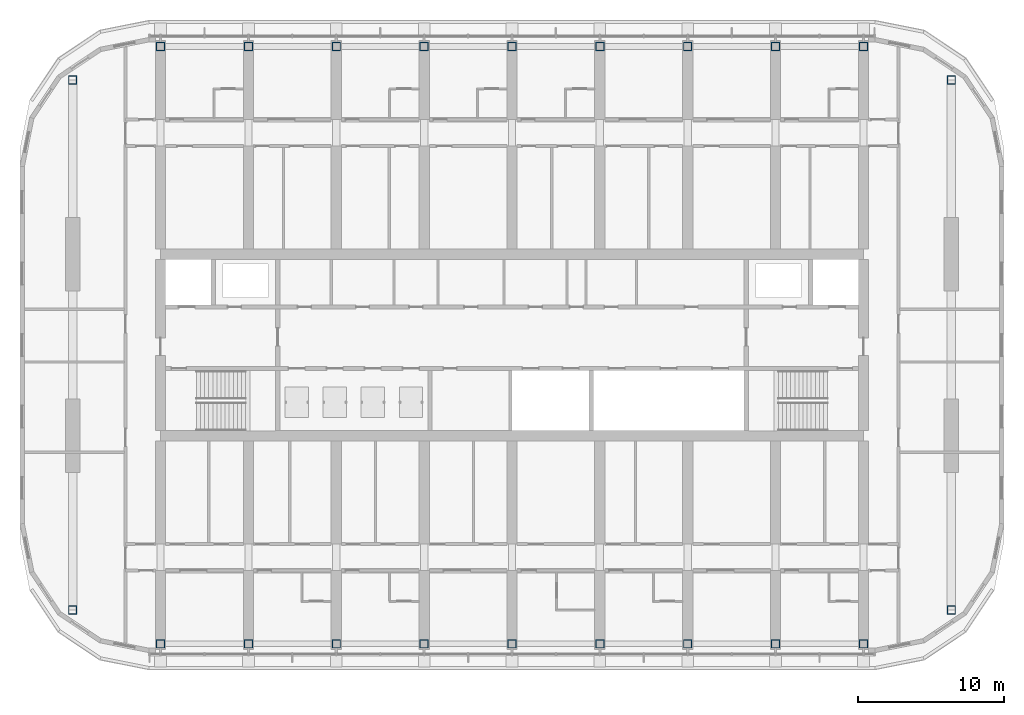
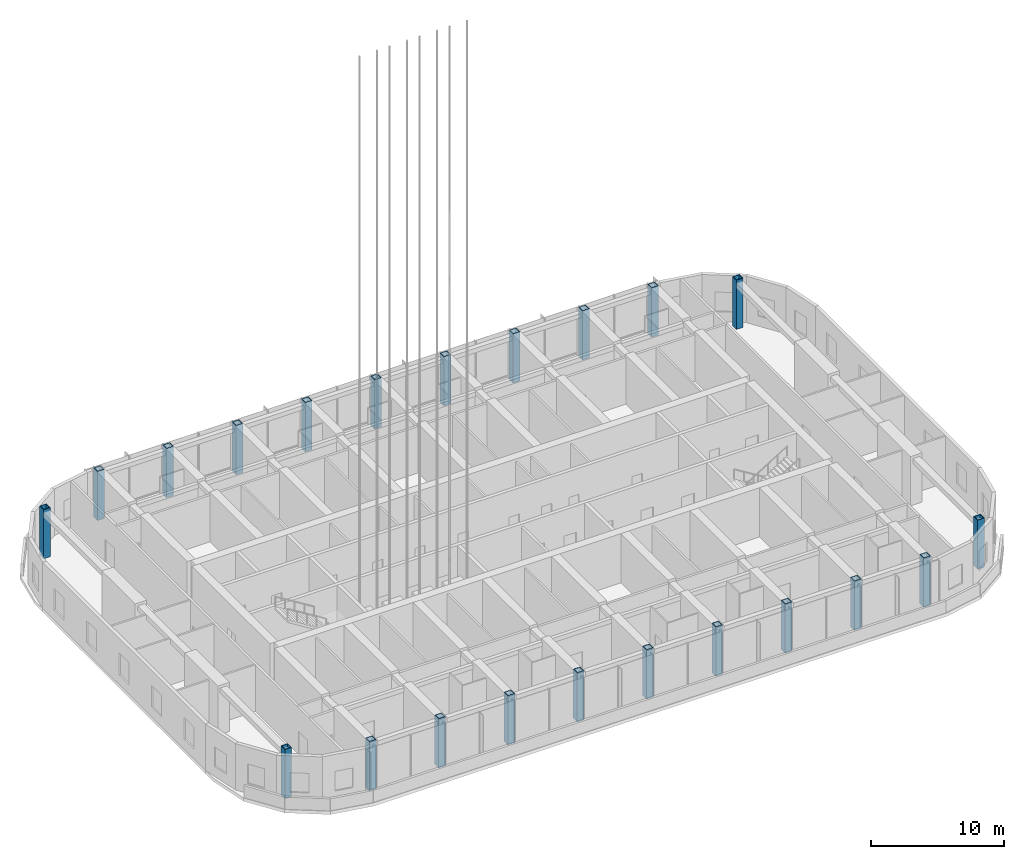
# One storey, part 1 of 35: 22 columns.
"""IFC4 building model written with IfcOpenShell, lengths in metres."""

import ifcopenshell
import ifcopenshell.guid

model = None  # the IFC model being written
_history = None  # IfcOwnerHistory: only IFC2X3 demands one
_inside = {}  # id of a spatial element -> (the spatial element, [elements in it])
_under = {}  # id of a project, library or spatial element -> (it, [spatial elements below it])
_declared = {}  # id of a project -> (the project, [libraries it declares])
_typed = {}  # id of a type object -> (the type object, [elements of that type])
_made_of = {}  # id of a material, layer set ... -> (it, [elements and type objects made of it])


def new_model(schema):
    """Start an empty IFC model of exactly this schema.

    Asked for "IFC4X3", IfcOpenShell would pick the latest addendum, in which some entities
    have other attributes; the version numbers below select the first issue.
    IFC2X3 requires an IfcOwnerHistory on every rooted entity: one is made here for all.
    """
    global model, _history
    if schema == "IFC4X3":
        model = ifcopenshell.file(schema_version=(4, 3, 0, 0))
    else:
        model = ifcopenshell.file(schema=schema)
    _inside.clear()
    _under.clear()
    _declared.clear()
    _typed.clear()
    _made_of.clear()
    _history = None
    if model.schema == "IFC2X3":
        org = make("IfcOrganization", Name="unknown")
        user = make(
            "IfcPersonAndOrganization",
            ThePerson=make("IfcPerson", FamilyName="unknown"),
            TheOrganization=org,
        )
        app = make(
            "IfcApplication",
            ApplicationDeveloper=org,
            Version="unknown",
            ApplicationFullName="unknown",
            ApplicationIdentifier="unknown",
        )
        _history = make(
            "IfcOwnerHistory",
            OwningUser=user,
            OwningApplication=app,
            ChangeAction="ADDED",
            CreationDate=0,
        )
    return model


def make(cls, **values):
    """One entity of the class cls with the attributes given. An attribute that is None is left unset."""
    return model.create_entity(
        cls, **{name: value for name, value in values.items() if value is not None}
    )


def rooted(cls, **values):
    """An entity with a GlobalId (a new one), such as an element, a storey or a relation."""
    return make(cls, GlobalId=ifcopenshell.guid.new(), OwnerHistory=_history, **values)


def si_unit(unit_type, name, prefix=None):
    """IfcSIUnit, for example si_unit("LENGTHUNIT", "METRE", prefix="MILLI")."""
    return make("IfcSIUnit", UnitType=unit_type, Prefix=prefix, Name=name)


def assignment(units):
    """IfcUnitAssignment: the units of a project."""
    return None if units is None else make("IfcUnitAssignment", Units=units)


def point(xyz):
    """IfcCartesianPoint."""
    return None if xyz is None else make("IfcCartesianPoint", Coordinates=xyz)


def direction(xyz):
    """IfcDirection."""
    return None if xyz is None else make("IfcDirection", DirectionRatios=xyz)


def frame(location, z_axis=None, x_axis=None):
    """IfcAxis2Placement3D, a coordinate frame: its origin and axes. An axis left out is left unset."""
    return make(
        "IfcAxis2Placement3D",
        Location=point(location),
        Axis=direction(z_axis),
        RefDirection=direction(x_axis),
    )


def frame_2d(location, x_axis=None):
    """IfcAxis2Placement2D, a coordinate frame in the plane: its origin and x axis."""
    return make(
        "IfcAxis2Placement2D", Location=point(location), RefDirection=direction(x_axis)
    )


def origin():
    """The frame at (0, 0, 0) with its axes left unset."""
    return frame((0.0, 0.0, 0.0))


def origin_2d():
    """The frame at (0, 0) in the plane with its x axis left unset."""
    return frame_2d((0.0, 0.0))


def place(relative_to, where):
    """IfcLocalPlacement: puts the frame where relative to a parent placement (None: the world)."""
    return make(
        "IfcLocalPlacement", PlacementRelTo=relative_to, RelativePlacement=where
    )


def context(
    kind, dimensions, precision=None, world=None, true_north=None, identifier=None
):
    """IfcGeometricRepresentationContext, for example the 3D "Model" context."""
    return make(
        "IfcGeometricRepresentationContext",
        ContextIdentifier=identifier,
        ContextType=kind,
        CoordinateSpaceDimension=dimensions,
        Precision=precision,
        WorldCoordinateSystem=world,
        TrueNorth=true_north,
    )


def subcontext(parent, identifier, kind, view, scale=None):
    """IfcGeometricRepresentationSubContext, for example "Body" below "Model"."""
    return make(
        "IfcGeometricRepresentationSubContext",
        ContextIdentifier=identifier,
        ContextType=kind,
        ParentContext=parent,
        TargetScale=scale,
        TargetView=view,
    )


def project(units=None, contexts=None):
    """IfcProject with its units and contexts."""
    return rooted(
        "IfcProject",
        Name="project",
        RepresentationContexts=contexts,
        UnitsInContext=assignment(units),
    )


def spatial(cls, under=None, at=None, **own):
    """A site, building, storey or space (cls), placed at a placement, below another one or the project."""
    s = rooted(cls, ObjectPlacement=at, **own)
    if under is not None:
        _under.setdefault(under.id(), (under, []))[1].append(s)
    return s


def profile(cls, at=None, kind="AREA", **sizes):
    """A parametric profile (cls). Its sizes go by their IFC names, for example OverallWidth=200.0."""
    return make(cls, ProfileType=kind, Position=at, **sizes)


def hollow_rectangle(**sizes):
    """IfcRectangleHollowProfileDef."""
    return profile("IfcRectangleHollowProfileDef", **sizes)


def extrude(swept, where, along, depth):
    """IfcExtrudedAreaSolid: the profile swept, set in the frame where, extruded along a direction by depth."""
    return make(
        "IfcExtrudedAreaSolid",
        SweptArea=swept,
        Position=where,
        ExtrudedDirection=direction(along),
        Depth=depth,
    )


def shape(context_of_items, identifier, shape_type, items):
    """IfcShapeRepresentation: the items that make up one representation, for example the "Body"."""
    return make(
        "IfcShapeRepresentation",
        ContextOfItems=context_of_items,
        RepresentationIdentifier=identifier,
        RepresentationType=shape_type,
        Items=items,
    )


def material(Name=None, Category=None):
    """IfcMaterial."""
    return make("IfcMaterial", Name=Name, Category=Category)


def material_profile(
    of_material, cross_section, Name=None, Category=None, Priority=None
):
    """IfcMaterialProfile: a cross section and its material."""
    return make(
        "IfcMaterialProfile",
        Name=Name,
        Material=of_material,
        Profile=cross_section,
        Priority=Priority,
        Category=Category,
    )


def profile_set(profiles, Name=None, composite=None):
    """IfcMaterialProfileSet."""
    return make(
        "IfcMaterialProfileSet",
        Name=Name,
        MaterialProfiles=profiles,
        CompositeProfile=composite,
    )


def made_of(thing, what):
    """Note that an element or type object is made of a material, layer set ...; save() writes the relation."""
    if what is not None:
        _made_of.setdefault(what.id(), (what, []))[1].append(thing)
    return thing


def type_object(cls, material=None, **own):
    """A type object (cls), such as IfcWallType, which elements share."""
    return made_of(rooted(cls, **own), material)


def element(
    cls,
    number,
    at=None,
    inside=None,
    cuts=None,
    type_object=None,
    material=None,
    context=None,
    identifier="Body",
    shape_type=None,
    held_by="IfcProductDefinitionShape",
    body=None,
    shapes=None,
    **own,
):
    """One element of the class cls, such as IfcWall. Its Tag is "e" and its number.

    at: its placement. inside: the storey or other place that contains it. cuts: it is an
    opening in that element (IfcRelVoidsElement). A single representation is given by context,
    identifier, shape_type and body (its items); several are given by shapes. held_by: the class
    of the entity that holds the representations. save() writes the other relations.
    """
    e = rooted(cls, Tag="e%d" % number, ObjectPlacement=at, **own)
    if body is not None:
        shapes = [shape(context, identifier, shape_type, body)]
    if shapes is not None:
        e.Representation = make(held_by, Representations=shapes)
    if inside is not None:
        _inside.setdefault(inside.id(), (inside, []))[1].append(e)
    if cuts is not None:
        rooted(
            "IfcRelVoidsElement", RelatingBuildingElement=cuts, RelatedOpeningElement=e
        )
    if type_object is not None:
        _typed.setdefault(type_object.id(), (type_object, []))[1].append(e)
    return made_of(e, material)


def aggregate(whole, parts):
    """IfcRelAggregates: a whole, such as a stair, and the parts it consists of."""
    return rooted("IfcRelAggregates", RelatingObject=whole, RelatedObjects=parts)


def save(model, path):
    """Write the relations noted so far, then the file.

    IfcRelAggregates (storeys below a building ...), IfcRelContainedInSpatialStructure (elements
    in a storey), IfcRelDefinesByType, IfcRelAssociatesMaterial and IfcRelDeclares: one each for
    every whole, place, type object, material and project.
    """
    for whole, parts in _under.values():
        aggregate(whole, parts)
    for where, things in _inside.values():
        rooted(
            "IfcRelContainedInSpatialStructure",
            RelatedElements=things,
            RelatingStructure=where,
        )
    for kind, things in _typed.values():
        rooted("IfcRelDefinesByType", RelatedObjects=things, RelatingType=kind)
    for what, things in _made_of.values():
        rooted("IfcRelAssociatesMaterial", RelatedObjects=things, RelatingMaterial=what)
    for by, libraries in _declared.values():
        rooted("IfcRelDeclares", RelatingContext=by, RelatedDefinitions=libraries)
    model.write(path)


model = new_model("IFC4")

# Units and contexts
model_context = context("Model", 3, precision=1e-05, world=origin(), true_north=direction((0.0, 1.0)))
body_context = subcontext(model_context, "Body", "Model", "MODEL_VIEW")
ifc_project = project(units=[si_unit("LENGTHUNIT", "METRE"), si_unit("AREAUNIT", "SQUARE_METRE"), si_unit("VOLUMEUNIT", "CUBIC_METRE"), si_unit("PLANEANGLEUNIT", "RADIAN"), si_unit("MASSUNIT", "GRAM", prefix="KILO")], contexts=[model_context])

# Site, building, storey
site_placement = place(None, origin())
site = spatial("IfcSite", under=ifc_project, at=site_placement, CompositionType="ELEMENT")
building_placement = place(site_placement, origin())
building = spatial("IfcBuilding", under=site, at=building_placement, Name="Orbita Commons", CompositionType="ELEMENT")
storey_placement = place(building_placement, frame((0.0, 0.0, 208.300048828125)))
storey = spatial("IfcBuildingStorey", under=building, at=storey_placement, Name="L51", CompositionType="ELEMENT", Elevation=208.300048828125)

# Columns
ifc_material = material(Name="Steel ASTM A572 Gr 50 welded plate", Category="steel")
ifc_material_profile = material_profile(ifc_material, hollow_rectangle(XDim=0.60009765625, YDim=0.60009765625, WallThickness=0.06005859375, at=origin_2d()), Name="BOX 600x600x60")
ifc_profile_set = profile_set([ifc_material_profile], Name="Steel ASTM A572 Gr 50 welded plate")
column_type = type_object("IfcColumnType", Name="Steel column BOX 600x600x60", PredefinedType="COLUMN", material=ifc_profile_set)
for number, where, z_axis, x_axis, name in (
    (1, (18.0, 11.60009765625, 0.0), (0.0, 0.0, 1.0), (1.0, 0.0, 0.0), "Column 4/B L51"),
    (2, (18.0, 52.39990234375, 0.0), (0.0, 0.0, 1.0), (1.0, 0.0, 0.0), "Column 4/E L51"),
    (3, (24.0, 11.60009765625, 0.0), (0.0, 0.0, 1.0), (1.0, 0.0, 0.0), "Column 5/B L51"),
    (4, (24.0, 52.39990234375, 0.0), (0.0, 0.0, 1.0), (1.0, 0.0, 0.0), "Column 5/E L51"),
    (5, (30.0, 11.60009765625, 0.0), (0.0, 0.0, 1.0), (1.0, 0.0, 0.0), "Column 6/B L51"),
    (6, (30.0, 52.39990234375, 0.0), (0.0, 0.0, 1.0), (1.0, 0.0, 0.0), "Column 6/E L51"),
    (7, (36.0, 11.60009765625, 0.0), (0.0, 0.0, 1.0), (1.0, 0.0, 0.0), "Column 7/B L51"),
    (8, (36.0, 52.39990234375, 0.0), (0.0, 0.0, 1.0), (1.0, 0.0, 0.0), "Column 7/E L51"),
    (9, (42.0, 11.60009765625, 0.0), (0.0, 0.0, 1.0), (1.0, 0.0, 0.0), "Column 8/B L51"),
    (10, (42.0, 52.39990234375, 0.0), (0.0, 0.0, 1.0), (1.0, 0.0, 0.0), "Column 8/E L51"),
    (11, (48.0, 11.60009765625, 0.0), (0.0, 0.0, 1.0), (1.0, 0.0, 0.0), "Column 9/B L51"),
    (12, (48.0, 52.39990234375, 0.0), (0.0, 0.0, 1.0), (1.0, 0.0, 0.0), "Column 9/E L51"),
    (13, (54.0, 11.60009765625, 0.0), (0.0, 0.0, 1.0), (1.0, 0.0, 0.0), "Column 10/B L51"),
    (14, (54.0, 52.39990234375, 0.0), (0.0, 0.0, 1.0), (1.0, 0.0, 0.0), "Column 10/E L51"),
    (15, (60.0, 11.60009765625, 0.0), (0.0, 0.0, 1.0), (1.0, 0.0, 0.0), "Column 11/B L51"),
    (16, (60.0, 52.39990234375, 0.0), (0.0, 0.0, 1.0), (1.0, 0.0, 0.0), "Column 11/E L51"),
    (17, (66.0, 11.60009765625, 0.0), (0.0, 0.0, 1.0), (1.0, 0.0, 0.0), "Column 12/B L51"),
    (18, (66.0, 52.39990234375, 0.0), (0.0, 0.0, 1.0), (1.0, 0.0, 0.0), "Column 12/E L51"),
    (19, (12.0, 13.89990234375, 0.0), (0.0, 0.0, 1.0), (1.0, 0.0, 0.0), "Column 3/13.9 L51"),
    (20, (12.0, 50.10009765625, 0.0), (0.0, 0.0, 1.0), (1.0, 0.0, 0.0), "Column 3/50.1 L51"),
    (21, (72.0, 13.89990234375, 0.0), (0.0, 0.0, 1.0), (1.0, 0.0, 0.0), "Column 13/13.9 L51"),
    (22, (72.0, 50.10009765625, 0.0), (0.0, 0.0, 1.0), (1.0, 0.0, 0.0), "Column 13/50.1 L51"),
):
    element("IfcColumn", number, at=place(storey_placement, frame(where, z_axis=z_axis, x_axis=x_axis)), inside=storey, type_object=column_type, Name=name, PredefinedType="COLUMN", context=body_context, shape_type="SweptSolid", body=[
        extrude(hollow_rectangle(XDim=0.60009765625, YDim=0.60009765625, WallThickness=0.06005859375, at=origin_2d()), origin(), (0.0, 0.0, 1.0), 4.5),
    ])

save(model, "model.ifc")
